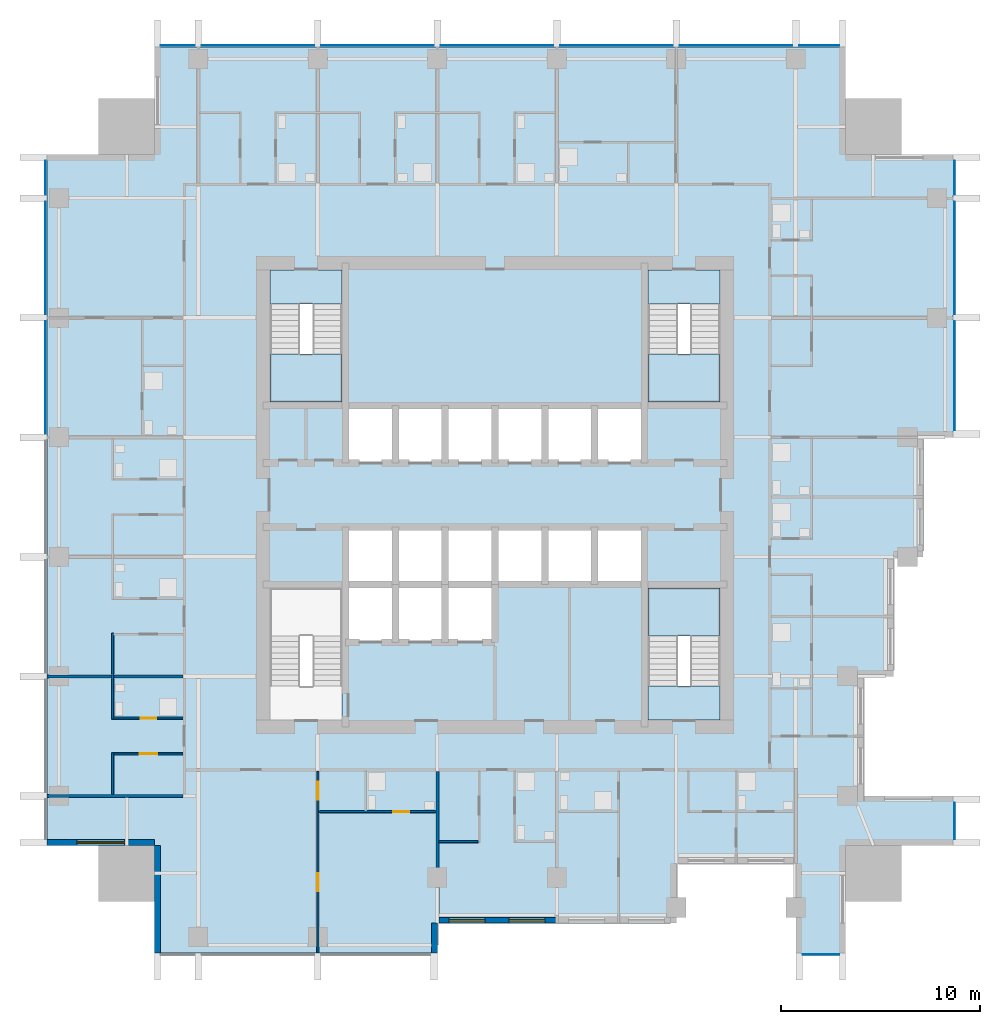
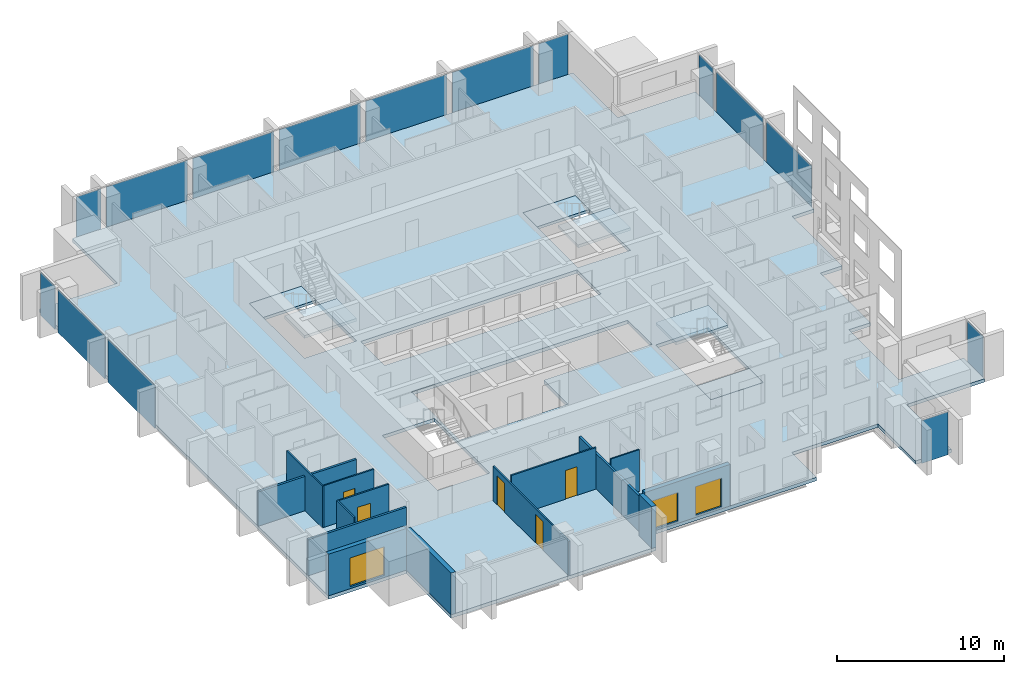
# One storey, part 3 of 11: 15 plates, 14 walls, 7 slabs, 5 doors, 3 windows, 8 openings, 8 elements without a shape of their own.
"""IFC4 building model written with IfcOpenShell, lengths in metres."""

from ifc_helpers import new_model, si_unit, direction, frame, frame_2d, origin, origin_2d, place, context, subcontext, project, spatial, polyline, rectangle, outline, extrude, material, layer, layer_set, type_object, element, fill, aggregate, save


model = new_model("IFC4")

# Units and contexts
model_context = context("Model", 3, precision=1e-05, world=origin(), true_north=direction((0.0, 1.0)))
body_context = subcontext(model_context, "Body", "Model", "MODEL_VIEW")
ifc_project = project(units=[si_unit("LENGTHUNIT", "METRE"), si_unit("AREAUNIT", "SQUARE_METRE"), si_unit("VOLUMEUNIT", "CUBIC_METRE"), si_unit("PLANEANGLEUNIT", "RADIAN"), si_unit("MASSUNIT", "GRAM", prefix="KILO")], contexts=[model_context])

# Site, building, storey
site_placement = place(None, origin())
site = spatial("IfcSite", under=ifc_project, at=site_placement, CompositionType="ELEMENT")
building_placement = place(site_placement, origin())
building = spatial("IfcBuilding", under=site, at=building_placement, Name="Amberfall Residences", CompositionType="ELEMENT")
storey_placement = place(building_placement, frame((0.0, 0.0, 154.89990234375)))
storey = spatial("IfcBuildingStorey", under=building, at=storey_placement, Name="L41", CompositionType="ELEMENT", Elevation=154.89990234375)

# Curtain wall, plate
ifc_material_1 = material(Name="Bronze anodised aluminium and glass", Category="aluminium")
curtain_wall_type = type_object("IfcCurtainWallType", Name="Curtain wall CW1 tower unit", PredefinedType="USERDEFINED", material=ifc_material_1)
curtain_wall_1_placement = place(storey_placement, origin())
curtain_wall_1 = element("IfcCurtainWall", 1, at=curtain_wall_1_placement, inside=storey, type_object=curtain_wall_type, Name="Curtain wall L41 S S8", ObjectType="UNITISED CURTAIN WALL", PredefinedType="USERDEFINED")
ifc_material_2 = material(Name="Tinted double glazed unit", Category="glass")
ifc_layer_1 = layer(ifc_material_2, 0.035888671875)
ifc_layer_set_1 = layer_set([ifc_layer_1], Name="CW1 panel 36 glazing")
plate_type = type_object("IfcPlateType", Name="CW1 panel 36 glazing", PredefinedType="CURTAIN_PANEL", material=ifc_layer_set_1)
plate_1_placement = place(storey_placement, frame((90.875, 22.425048828125, -0.249755859375), z_axis=(0.0, 0.0, 1.0), x_axis=(1.0, 0.0, 0.0)))
plate_1 = element("IfcPlate", 2, at=plate_1_placement, type_object=plate_type, Name="CW1 panel 1.1", PredefinedType="CURTAIN_PANEL", context=body_context, shape_type="SweptSolid", body=[
    extrude(rectangle(XDim=1.825927734375, YDim=0.035888671875, at=origin_2d()), origin(), (0.0, 0.0, 1.0), 3.14990234375),
])
aggregate(curtain_wall_1, [plate_1])

curtain_wall_2_placement = place(storey_placement, origin())
curtain_wall_2 = element("IfcCurtainWall", 3, at=curtain_wall_2_placement, inside=storey, type_object=curtain_wall_type, Name="Curtain wall L41 E E1", ObjectType="UNITISED CURTAIN WALL", PredefinedType="USERDEFINED")
plate_2_placement = place(storey_placement, frame((97.574951171875, 29.125, -0.249755859375), z_axis=(0.0, 0.0, 1.0), x_axis=(0.0, 1.0, 0.0)))
plate_2 = element("IfcPlate", 4, at=plate_2_placement, type_object=plate_type, Name="CW1 panel 1.1", PredefinedType="CURTAIN_PANEL", context=body_context, shape_type="SweptSolid", body=[
    extrude(rectangle(XDim=1.825927734375, YDim=0.035888671875, at=origin_2d()), origin(), (0.0, 0.0, 1.0), 3.14990234375),
])
aggregate(curtain_wall_2, [plate_2])

# Curtain wall, plates
curtain_wall_3_placement = place(storey_placement, origin())
curtain_wall_3 = element("IfcCurtainWall", 5, at=curtain_wall_3_placement, inside=storey, type_object=curtain_wall_type, Name="Curtain wall L41 E E9", ObjectType="UNITISED CURTAIN WALL", PredefinedType="USERDEFINED")
plate_3_placement = place(storey_placement, frame((97.574951171875, 51.487548828125, -0.249755859375), z_axis=(0.0, 0.0, 1.0), x_axis=(0.0, 1.0, 0.0)))
plate_3 = element("IfcPlate", 6, at=plate_3_placement, type_object=plate_type, Name="CW1 panel 1.1", PredefinedType="CURTAIN_PANEL", context=body_context, shape_type="SweptSolid", body=[
    extrude(rectangle(XDim=5.450927734375, YDim=0.035888671875, at=origin_2d()), origin(), (0.0, 0.0, 1.0), 3.14990234375),
])
plate_4_placement = place(storey_placement, frame((97.574951171875, 57.39990234375, -0.249755859375), z_axis=(0.0, 0.0, 1.0), x_axis=(0.0, 1.0, 0.0)))
plate_4 = element("IfcPlate", 7, at=plate_4_placement, type_object=plate_type, Name="CW1 panel 2.1", PredefinedType="CURTAIN_PANEL", context=body_context, shape_type="SweptSolid", body=[
    extrude(rectangle(XDim=5.6259765625, YDim=0.035888671875, at=origin_2d()), origin(), (0.0, 0.0, 1.0), 3.14990234375),
])
plate_5_placement = place(storey_placement, frame((97.574951171875, 61.4375, -0.249755859375), z_axis=(0.0, 0.0, 1.0), x_axis=(0.0, 1.0, 0.0)))
plate_5 = element("IfcPlate", 8, at=plate_5_placement, type_object=plate_type, Name="CW1 panel 3.1", PredefinedType="CURTAIN_PANEL", context=body_context, shape_type="SweptSolid", body=[
    extrude(rectangle(XDim=1.700927734375, YDim=0.035888671875, at=origin_2d()), origin(), (0.0, 0.0, 1.0), 3.14990234375),
])
aggregate(curtain_wall_3, [plate_3, plate_4, plate_5])

curtain_wall_4_placement = place(storey_placement, origin())
curtain_wall_4 = element("IfcCurtainWall", 9, at=curtain_wall_4_placement, inside=storey, type_object=curtain_wall_type, Name="Curtain wall L41 N N1", ObjectType="UNITISED CURTAIN WALL", PredefinedType="USERDEFINED")
plate_6_placement = place(storey_placement, frame((90.78759765625, 68.074951171875, -0.249755859375), z_axis=(0.0, 0.0, 1.0), x_axis=(-1.0, 0.0, 0.0)))
plate_6 = element("IfcPlate", 10, at=plate_6_placement, type_object=plate_type, Name="CW1 panel 1.1", PredefinedType="CURTAIN_PANEL", context=body_context, shape_type="SweptSolid", body=[
    extrude(rectangle(XDim=2.0009765625, YDim=0.035888671875, at=origin_2d()), origin(), (0.0, 0.0, 1.0), 3.14990234375),
])
plate_7_placement = place(storey_placement, frame((86.60009765625, 68.074951171875, -0.249755859375), z_axis=(0.0, 0.0, 1.0), x_axis=(-1.0, 0.0, 0.0)))
plate_7 = element("IfcPlate", 11, at=plate_7_placement, type_object=plate_type, Name="CW1 panel 2.1", PredefinedType="CURTAIN_PANEL", context=body_context, shape_type="SweptSolid", body=[
    extrude(rectangle(XDim=5.6259765625, YDim=0.035888671875, at=origin_2d()), origin(), (0.0, 0.0, 1.0), 3.14990234375),
])
plate_8_placement = place(storey_placement, frame((80.60009765625, 68.074951171875, -0.249755859375), z_axis=(0.0, 0.0, 1.0), x_axis=(-1.0, 0.0, 0.0)))
plate_8 = element("IfcPlate", 12, at=plate_8_placement, type_object=plate_type, Name="CW1 panel 3.1", PredefinedType="CURTAIN_PANEL", context=body_context, shape_type="SweptSolid", body=[
    extrude(rectangle(XDim=5.6259765625, YDim=0.035888671875, at=origin_2d()), origin(), (0.0, 0.0, 1.0), 3.14990234375),
])
plate_9_placement = place(storey_placement, frame((74.60009765625, 68.074951171875, -0.249755859375), z_axis=(0.0, 0.0, 1.0), x_axis=(-1.0, 0.0, 0.0)))
plate_9 = element("IfcPlate", 13, at=plate_9_placement, type_object=plate_type, Name="CW1 panel 4.1", PredefinedType="CURTAIN_PANEL", context=body_context, shape_type="SweptSolid", body=[
    extrude(rectangle(XDim=5.6259765625, YDim=0.035888671875, at=origin_2d()), origin(), (0.0, 0.0, 1.0), 3.14990234375),
])
plate_10_placement = place(storey_placement, frame((68.60009765625, 68.074951171875, -0.249755859375), z_axis=(0.0, 0.0, 1.0), x_axis=(-1.0, 0.0, 0.0)))
plate_10 = element("IfcPlate", 14, at=plate_10_placement, type_object=plate_type, Name="CW1 panel 5.1", PredefinedType="CURTAIN_PANEL", context=body_context, shape_type="SweptSolid", body=[
    extrude(rectangle(XDim=5.6259765625, YDim=0.035888671875, at=origin_2d()), origin(), (0.0, 0.0, 1.0), 3.14990234375),
])
plate_11_placement = place(storey_placement, frame((62.60009765625, 68.074951171875, -0.249755859375), z_axis=(0.0, 0.0, 1.0), x_axis=(-1.0, 0.0, 0.0)))
plate_11 = element("IfcPlate", 15, at=plate_11_placement, type_object=plate_type, Name="CW1 panel 6.1", PredefinedType="CURTAIN_PANEL", context=body_context, shape_type="SweptSolid", body=[
    extrude(rectangle(XDim=5.6259765625, YDim=0.035888671875, at=origin_2d()), origin(), (0.0, 0.0, 1.0), 3.14990234375),
])
plate_12_placement = place(storey_placement, frame((58.5625, 68.074951171875, -0.249755859375), z_axis=(0.0, 0.0, 1.0), x_axis=(-1.0, 0.0, 0.0)))
plate_12 = element("IfcPlate", 16, at=plate_12_placement, type_object=plate_type, Name="CW1 panel 7.1", PredefinedType="CURTAIN_PANEL", context=body_context, shape_type="SweptSolid", body=[
    extrude(rectangle(XDim=1.700927734375, YDim=0.035888671875, at=origin_2d()), origin(), (0.0, 0.0, 1.0), 3.14990234375),
])
aggregate(curtain_wall_4, [plate_6, plate_7, plate_8, plate_9, plate_10, plate_11, plate_12])

curtain_wall_5_placement = place(storey_placement, origin())
curtain_wall_5 = element("IfcCurtainWall", 17, at=curtain_wall_5_placement, inside=storey, type_object=curtain_wall_type, Name="Curtain wall L41 W W1", ObjectType="UNITISED CURTAIN WALL", PredefinedType="USERDEFINED")
plate_13_placement = place(storey_placement, frame((51.925048828125, 61.4375, -0.249755859375), z_axis=(0.0, 0.0, 1.0), x_axis=(0.0, -1.0, 0.0)))
plate_13 = element("IfcPlate", 18, at=plate_13_placement, type_object=plate_type, Name="CW1 panel 1.1", PredefinedType="CURTAIN_PANEL", context=body_context, shape_type="SweptSolid", body=[
    extrude(rectangle(XDim=1.700927734375, YDim=0.035888671875, at=origin_2d()), origin(), (0.0, 0.0, 1.0), 3.14990234375),
])
plate_14_placement = place(storey_placement, frame((51.925048828125, 57.39990234375, -0.249755859375), z_axis=(0.0, 0.0, 1.0), x_axis=(0.0, -1.0, 0.0)))
plate_14 = element("IfcPlate", 19, at=plate_14_placement, type_object=plate_type, Name="CW1 panel 2.1", PredefinedType="CURTAIN_PANEL", context=body_context, shape_type="SweptSolid", body=[
    extrude(rectangle(XDim=5.6259765625, YDim=0.035888671875, at=origin_2d()), origin(), (0.0, 0.0, 1.0), 3.14990234375),
])
plate_15_placement = place(storey_placement, frame((51.925048828125, 51.39990234375, -0.249755859375), z_axis=(0.0, 0.0, 1.0), x_axis=(0.0, -1.0, 0.0)))
plate_15 = element("IfcPlate", 20, at=plate_15_placement, type_object=plate_type, Name="CW1 panel 3.1", PredefinedType="CURTAIN_PANEL", context=body_context, shape_type="SweptSolid", body=[
    extrude(rectangle(XDim=5.6259765625, YDim=0.035888671875, at=origin_2d()), origin(), (0.0, 0.0, 1.0), 3.14990234375),
])
aggregate(curtain_wall_5, [plate_13, plate_14, plate_15])

# Slab
ifc_material_3 = material(Name="Concrete C60", Category="concrete")
ifc_layer_2 = layer(ifc_material_3, 0.25)
ifc_layer_set_2 = layer_set([ifc_layer_2], Name="Floor slab 250 C60")
slab_type_1 = type_object("IfcSlabType", Name="Floor slab 250 C60", PredefinedType="FLOOR", material=ifc_layer_set_2)
slab_1_placement = place(storey_placement, frame((0.0, 0.0, -0.25)))
element("IfcSlab", 21, at=slab_1_placement, inside=storey, type_object=slab_type_1, Name="Floor slab S10 L41", PredefinedType="FLOOR", context=body_context, shape_type="SweptSolid", body=[
    extrude(outline(polyline([(89.60009765625, 22.5), (89.60009765625, 27.0), (83.60009765625, 27.0), (83.60009765625, 24.0), (77.60009765625, 24.0), (71.60009765625, 24.0), (71.60009765625, 22.5), (57.39990234375, 22.5), (57.39990234375, 27.89990234375), (52.0, 27.89990234375), (52.0, 62.60009765625), (57.39990234375, 62.60009765625), (57.39990234375, 68.0), (92.10009765625, 68.0), (92.10009765625, 62.60009765625), (97.5, 62.60009765625), (97.5, 48.39990234375), (96.0, 48.39990234375), (96.0, 42.39990234375), (94.5, 42.39990234375), (94.5, 36.39990234375), (93.0, 36.39990234375), (93.0, 30.39990234375), (97.5, 30.39990234375), (97.5, 27.89990234375), (92.10009765625, 27.89990234375), (92.10009765625, 22.5), (89.60009765625, 22.5)]), holes=[polyline([(85.800048828125, 34.199951171875), (85.800048828125, 40.824951171875), (82.175048828125, 40.824951171875), (82.175048828125, 34.199951171875), (85.800048828125, 34.199951171875)]), polyline([(82.175048828125, 50.175048828125), (85.800048828125, 50.175048828125), (85.800048828125, 56.800048828125), (82.175048828125, 56.800048828125), (82.175048828125, 50.175048828125)]), polyline([(69.5, 50.0), (67.0, 50.0), (67.0, 47.10009765625), (69.5, 47.10009765625), (72.0, 47.10009765625), (74.5, 47.10009765625), (77.0, 47.10009765625), (79.5, 47.10009765625), (82.0, 47.10009765625), (82.0, 50.0), (79.5, 50.0), (77.0, 50.0), (74.5, 50.0), (72.0, 50.0), (69.5, 50.0)]), polyline([(74.5, 41.0), (77.0, 41.0), (79.5, 41.0), (82.0, 41.0), (82.0, 43.89990234375), (79.5, 43.89990234375), (77.0, 43.89990234375), (74.5, 43.89990234375), (72.0, 43.89990234375), (69.5, 43.89990234375), (67.0, 43.89990234375), (67.0, 41.0), (67.0, 38.10009765625), (69.5, 38.10009765625), (72.0, 38.10009765625), (74.5, 38.10009765625), (74.5, 41.0)]), polyline([(66.824951171875, 34.199951171875), (66.824951171875, 40.824951171875), (63.199951171875, 40.824951171875), (63.199951171875, 34.199951171875), (66.824951171875, 34.199951171875)]), polyline([(66.824951171875, 50.175048828125), (66.824951171875, 56.800048828125), (63.199951171875, 56.800048828125), (63.199951171875, 50.175048828125), (66.824951171875, 50.175048828125)])]), origin(), (0.0, 0.0, 1.0), 0.25),
])

# Stair, slabs
ifc_material_4 = material(Name="Concrete C40", Category="concrete")
stair_type = type_object("IfcStairType", Name="Exit stair 20 risers 165.0 mm", PredefinedType="HALF_TURN_STAIR", material=ifc_material_4)
stair_1_placement = place(storey_placement, origin())
stair_1 = element("IfcStair", 22, at=stair_1_placement, inside=storey, type_object=stair_type, Name="L41 Exit stair 2", PredefinedType="HALF_TURN_STAIR")
ifc_layer_3 = layer(ifc_material_4, 0.199951171875)
ifc_layer_set_3 = layer_set([ifc_layer_3], Name="Stair landing 200")
slab_type_2 = type_object("IfcSlabType", Name="Stair landing 200", PredefinedType="LANDING", material=ifc_layer_set_3)
slab_2_placement = place(storey_placement, frame((0.0, 0.0, 1.4501953125)))
slab_2 = element("IfcSlab", 23, at=slab_2_placement, type_object=slab_type_2, Name="ST3 landing 1", PredefinedType="LANDING", context=body_context, shape_type="SweptSolid", body=[
    extrude(outline(polyline([(85.800048828125, 38.419921875), (85.800048828125, 40.824951171875), (82.175048828125, 40.824951171875), (82.175048828125, 38.419921875), (85.800048828125, 38.419921875)])), origin(), (0.0, 0.0, 1.0), 0.199951171875),
])
slab_3_placement = place(storey_placement, frame((0.0, 0.0, -0.199951171875)))
slab_3 = element("IfcSlab", 24, at=slab_3_placement, type_object=slab_type_2, Name="ST3 landing 2", PredefinedType="LANDING", context=body_context, shape_type="SweptSolid", body=[
    extrude(outline(polyline([(85.800048828125, 34.199951171875), (85.800048828125, 35.89990234375), (82.175048828125, 35.89990234375), (82.175048828125, 34.199951171875), (85.800048828125, 34.199951171875)])), origin(), (0.0, 0.0, 1.0), 0.199951171875),
])
aggregate(stair_1, [slab_2, slab_3])

stair_2_placement = place(storey_placement, origin())
stair_2 = element("IfcStair", 25, at=stair_2_placement, inside=storey, type_object=stair_type, Name="L41 Exit stair 3", PredefinedType="HALF_TURN_STAIR")
slab_4_placement = place(storey_placement, frame((0.0, 0.0, 1.4501953125)))
slab_4 = element("IfcSlab", 26, at=slab_4_placement, type_object=slab_type_2, Name="ST3 landing 1", PredefinedType="LANDING", context=body_context, shape_type="SweptSolid", body=[
    extrude(outline(polyline([(82.175048828125, 52.580078125), (82.175048828125, 50.175048828125), (85.800048828125, 50.175048828125), (85.800048828125, 52.580078125), (82.175048828125, 52.580078125)])), origin(), (0.0, 0.0, 1.0), 0.199951171875),
])
slab_5_placement = place(storey_placement, frame((0.0, 0.0, -0.199951171875)))
slab_5 = element("IfcSlab", 27, at=slab_5_placement, type_object=slab_type_2, Name="ST3 landing 2", PredefinedType="LANDING", context=body_context, shape_type="SweptSolid", body=[
    extrude(outline(polyline([(82.175048828125, 56.800048828125), (82.175048828125, 55.10009765625), (85.800048828125, 55.10009765625), (85.800048828125, 56.800048828125), (82.175048828125, 56.800048828125)])), origin(), (0.0, 0.0, 1.0), 0.199951171875),
])
aggregate(stair_2, [slab_4, slab_5])

stair_3_placement = place(storey_placement, origin())
stair_3 = element("IfcStair", 28, at=stair_3_placement, inside=storey, type_object=stair_type, Name="L41 Exit stair 4", PredefinedType="HALF_TURN_STAIR")
slab_6_placement = place(storey_placement, frame((0.0, 0.0, 1.4501953125)))
slab_6 = element("IfcSlab", 29, at=slab_6_placement, type_object=slab_type_2, Name="ST3 landing 1", PredefinedType="LANDING", context=body_context, shape_type="SweptSolid", body=[
    extrude(outline(polyline([(63.199951171875, 52.580078125), (63.199951171875, 50.175048828125), (66.824951171875, 50.175048828125), (66.824951171875, 52.580078125), (63.199951171875, 52.580078125)])), origin(), (0.0, 0.0, 1.0), 0.199951171875),
])
slab_7_placement = place(storey_placement, frame((0.0, 0.0, -0.199951171875)))
slab_7 = element("IfcSlab", 30, at=slab_7_placement, type_object=slab_type_2, Name="ST3 landing 2", PredefinedType="LANDING", context=body_context, shape_type="SweptSolid", body=[
    extrude(outline(polyline([(63.199951171875, 56.800048828125), (63.199951171875, 55.10009765625), (66.824951171875, 55.10009765625), (66.824951171875, 56.800048828125), (63.199951171875, 56.800048828125)])), origin(), (0.0, 0.0, 1.0), 0.199951171875),
])
aggregate(stair_3, [slab_6, slab_7])

# Wall
ifc_material_5 = material(Name="Pale stone cladding on insulated backing", Category="masonry")
ifc_layer_4 = layer(ifc_material_5, 0.300048828125)
ifc_layer_set_4 = layer_set([ifc_layer_4], Name="Bronze clad wall 300")
wall_type_1 = type_object("IfcWallType", Name="Bronze clad wall 300", PredefinedType="SOLIDWALL", material=ifc_layer_set_4)
wall_1_placement = place(storey_placement, frame((71.449951171875, 22.5, 0.0), z_axis=(0.0, 0.0, 1.0), x_axis=(0.0, 1.0, 0.0)))
element("IfcWall", 31, at=wall_1_placement, inside=storey, type_object=wall_type_1, Name="External wall L41 S", PredefinedType="SOLIDWALL", context=body_context, shape_type="SweptSolid", body=[
    extrude(rectangle(XDim=1.5, YDim=0.300048828125, at=frame_2d((0.75, 0.0))), origin(), (0.0, 0.0, 1.0), 3.050048828125),
])

# Wall, opening, window
wall_2_placement = place(storey_placement, frame((52.0, 28.050048828125, 0.0), z_axis=(0.0, 0.0, 1.0), x_axis=(1.0, 0.0, 0.0)))
wall_2 = element("IfcWall", 32, at=wall_2_placement, inside=storey, type_object=wall_type_1, Name="External wall L41 SW", PredefinedType="SOLIDWALL", context=body_context, shape_type="SweptSolid", body=[
    extrude(rectangle(XDim=5.39990234375, YDim=0.300048828125, at=frame_2d((2.699951171875, 0.0))), origin(), (0.0, 0.0, 1.0), 3.050048828125),
])
opening_1_placement = place(wall_2_placement, frame((1.5, 0.0, 0.14990234375)))
opening_1 = element("IfcOpeningElement", 33, at=opening_1_placement, cuts=wall_2, Name="Opening WN5", PredefinedType="OPENING", context=body_context, shape_type="SweptSolid", body=[
    extrude(rectangle(XDim=2.39990234375, YDim=2.10009765625, at=frame_2d((1.199951171875, 1.050048828125))), frame((0.0, 0.159912109375, 0.0), z_axis=(0.0, -1.0, 0.0), x_axis=(1.0, 0.0, 0.0)), (0.0, 0.0, 1.0), 0.320068359375),
])
ifc_material_6 = material(Name="Bronze aluminium framed glazing", Category="aluminium")
window_type_1 = type_object("IfcWindowType", Name="Glazed opening 2400 x 2100 bronze", PartitioningType="DOUBLE_PANEL_VERTICAL", PredefinedType="WINDOW", material=ifc_material_6)
window_1_placement = place(opening_1_placement, origin())
window_1 = element("IfcWindow", 34, at=window_1_placement, inside=storey, type_object=window_type_1, Name="Window L41 SW", OverallHeight=2.10009765625, OverallWidth=2.39990234375, PartitioningType="DOUBLE_PANEL_VERTICAL", PredefinedType="WINDOW", context=body_context, shape_type="SweptSolid", body=[
    extrude(rectangle(XDim=2.39990234375, YDim=2.10009765625, at=frame_2d((1.199951171875, 1.050048828125))), frame((0.0, 0.030029296875, 0.0), z_axis=(0.0, -1.0, 0.0), x_axis=(1.0, 0.0, 0.0)), (0.0, 0.0, 1.0), 0.06005859375),
])
fill(opening_1, window_1)

# Wall
wall_3_placement = place(storey_placement, frame((57.550048828125, 27.89990234375, 0.0), z_axis=(0.0, 0.0, 1.0), x_axis=(0.0, -1.0, 0.0)))
element("IfcWall", 35, at=wall_3_placement, inside=storey, type_object=wall_type_1, Name="External wall L41 SW", PredefinedType="SOLIDWALL", context=body_context, shape_type="SweptSolid", body=[
    extrude(rectangle(XDim=5.39990234375, YDim=0.300048828125, at=frame_2d((2.699951171875, 0.0))), origin(), (0.0, 0.0, 1.0), 3.050048828125),
])

# Wall, openings, windows
wall_4_placement = place(storey_placement, frame((71.68994140625, 24.14990234375, 0.0), z_axis=(0.0, 0.0, 1.0), x_axis=(1.0, 0.0, 0.0)))
wall_4 = element("IfcWall", 36, at=wall_4_placement, inside=storey, type_object=wall_type_1, Name="Stone wall L41 S", PredefinedType="SOLIDWALL", context=body_context, shape_type="SweptSolid", body=[
    extrude(rectangle(XDim=5.91015625, YDim=0.300048828125, at=frame_2d((2.955078125, 0.0))), origin(), (0.0, 0.0, 1.0), 3.050048828125),
])
opening_2_placement = place(wall_4_placement, frame((0.510009765625, 0.0, 0.14990234375)))
opening_2 = element("IfcOpeningElement", 37, at=opening_2_placement, cuts=wall_4, Name="Opening WN6", PredefinedType="OPENING", context=body_context, shape_type="SweptSolid", body=[
    extrude(rectangle(XDim=1.800048828125, YDim=2.10009765625, at=frame_2d((0.89990234375, 1.050048828125))), frame((0.0, 0.159912109375, 0.0), z_axis=(0.0, -1.0, 0.0), x_axis=(1.0, 0.0, 0.0)), (0.0, 0.0, 1.0), 0.320068359375),
])
opening_3_placement = place(wall_4_placement, frame((3.510009765625, 0.0, 0.14990234375)))
opening_3 = element("IfcOpeningElement", 38, at=opening_3_placement, cuts=wall_4, Name="Opening WN6", PredefinedType="OPENING", context=body_context, shape_type="SweptSolid", body=[
    extrude(rectangle(XDim=1.800048828125, YDim=2.10009765625, at=frame_2d((0.89990234375, 1.050048828125))), frame((0.0, 0.159912109375, 0.0), z_axis=(0.0, -1.0, 0.0), x_axis=(1.0, 0.0, 0.0)), (0.0, 0.0, 1.0), 0.320068359375),
])
window_type_2 = type_object("IfcWindowType", Name="Glazed opening 1800 x 2100 bronze", PartitioningType="DOUBLE_PANEL_VERTICAL", PredefinedType="WINDOW", material=ifc_material_6)
window_2_placement = place(opening_2_placement, origin())
window_2 = element("IfcWindow", 39, at=window_2_placement, inside=storey, type_object=window_type_2, Name="Window L41 S", OverallHeight=2.10009765625, OverallWidth=1.800048828125, PartitioningType="DOUBLE_PANEL_VERTICAL", PredefinedType="WINDOW", context=body_context, shape_type="SweptSolid", body=[
    extrude(rectangle(XDim=1.800048828125, YDim=2.10009765625, at=frame_2d((0.89990234375, 1.050048828125))), frame((0.0, 0.030029296875, 0.0), z_axis=(0.0, -1.0, 0.0), x_axis=(1.0, 0.0, 0.0)), (0.0, 0.0, 1.0), 0.06005859375),
])
fill(opening_2, window_2)
window_3_placement = place(opening_3_placement, origin())
window_3 = element("IfcWindow", 40, at=window_3_placement, inside=storey, type_object=window_type_2, Name="Window L41 S", OverallHeight=2.10009765625, OverallWidth=1.800048828125, PartitioningType="DOUBLE_PANEL_VERTICAL", PredefinedType="WINDOW", context=body_context, shape_type="SweptSolid", body=[
    extrude(rectangle(XDim=1.800048828125, YDim=2.10009765625, at=frame_2d((0.89990234375, 1.050048828125))), frame((0.0, 0.030029296875, 0.0), z_axis=(0.0, -1.0, 0.0), x_axis=(1.0, 0.0, 0.0)), (0.0, 0.0, 1.0), 0.06005859375),
])
fill(opening_3, window_3)

# Walls
ifc_material_7 = material(Name="Gypsum board on metal stud")
ifc_layer_5 = layer(ifc_material_7, 0.10009765625)
ifc_layer_set_5 = layer_set([ifc_layer_5], Name="Flat partition 100")
wall_type_2 = type_object("IfcWallType", Name="Flat partition 100", PredefinedType="PARTITIONING", material=ifc_layer_set_5)
wall_5_placement = place(storey_placement, frame((55.300048828125, 30.47509765625, 0.0), z_axis=(0.0, 0.0, 1.0), x_axis=(0.0, 1.0, 0.0)))
element("IfcWall", 41, at=wall_5_placement, inside=storey, type_object=wall_type_2, Name="Partition 001", PredefinedType="PARTITIONING", context=body_context, shape_type="SweptSolid", body=[
    extrude(rectangle(XDim=2.074951171875, YDim=0.10009765625, at=frame_2d((1.03759765625, 0.0))), origin(), (0.0, 0.0, 1.0), 3.050048828125),
])
wall_6_placement = place(storey_placement, frame((55.300048828125, 34.25, 0.0), z_axis=(0.0, 0.0, 1.0), x_axis=(0.0, 1.0, 0.0)))
element("IfcWall", 42, at=wall_6_placement, inside=storey, type_object=wall_type_2, Name="Partition 002", PredefinedType="PARTITIONING", context=body_context, shape_type="SweptSolid", body=[
    extrude(rectangle(XDim=4.300048828125, YDim=0.10009765625, at=frame_2d((2.14990234375, 0.0))), origin(), (0.0, 0.0, 1.0), 3.050048828125),
])

# Wall, openings, doors
wall_7_placement = place(storey_placement, frame((65.60009765625, 31.625, 0.0), z_axis=(0.0, 0.0, 1.0), x_axis=(0.0, -1.0, 0.0)))
wall_7 = element("IfcWall", 43, at=wall_7_placement, inside=storey, type_object=wall_type_2, Name="Partition 008", PredefinedType="PARTITIONING", context=body_context, shape_type="SweptSolid", body=[
    extrude(rectangle(XDim=9.125, YDim=0.10009765625, at=frame_2d((4.5625, 0.0))), origin(), (0.0, 0.0, 1.0), 2.51611328125),
])
opening_4_placement = place(wall_7_placement, frame((0.52490234375, 0.0, 0.0)))
opening_4 = element("IfcOpeningElement", 44, at=opening_4_placement, cuts=wall_7, Name="Opening D41", PredefinedType="OPENING", context=body_context, shape_type="SweptSolid", body=[
    extrude(rectangle(XDim=0.89990234375, YDim=2.10009765625, at=frame_2d((0.449951171875, 1.050048828125))), frame((0.0, 0.06005859375, 0.0), z_axis=(0.0, -1.0, 0.0), x_axis=(1.0, 0.0, 0.0)), (0.0, 0.0, 1.0), 0.1201171875),
])
opening_5_placement = place(wall_7_placement, frame((5.125, 0.0, 0.0)))
opening_5 = element("IfcOpeningElement", 45, at=opening_5_placement, cuts=wall_7, Name="Opening D41", PredefinedType="OPENING", context=body_context, shape_type="SweptSolid", body=[
    extrude(rectangle(XDim=0.89990234375, YDim=2.10009765625, at=frame_2d((0.449951171875, 1.050048828125))), frame((0.0, 0.06005859375, 0.0), z_axis=(0.0, -1.0, 0.0), x_axis=(1.0, 0.0, 0.0)), (0.0, 0.0, 1.0), 0.1201171875),
])
ifc_material_8 = material(Name="Timber", Category="wood")
door_type_1 = type_object("IfcDoorType", Name="Internal door 900 x 2100", OperationType="SINGLE_SWING_LEFT", PredefinedType="DOOR", material=ifc_material_8)
door_1_placement = place(opening_4_placement, origin())
door_1 = element("IfcDoor", 46, at=door_1_placement, inside=storey, type_object=door_type_1, Name="Door 4101 kitchen", OperationType="SINGLE_SWING_LEFT", OverallHeight=2.10009765625, OverallWidth=0.89990234375, PredefinedType="DOOR", context=body_context, shape_type="SweptSolid", body=[
    extrude(rectangle(XDim=0.89990234375, YDim=2.10009765625, at=frame_2d((0.449951171875, 1.050048828125))), frame((0.0, 0.02490234375, 0.0), z_axis=(0.0, -1.0, 0.0), x_axis=(1.0, 0.0, 0.0)), (0.0, 0.0, 1.0), 0.050048828125),
])
fill(opening_4, door_1)
door_2_placement = place(opening_5_placement, origin())
door_2 = element("IfcDoor", 47, at=door_2_placement, inside=storey, type_object=door_type_1, Name="Door 4101 bedroom1", OperationType="SINGLE_SWING_LEFT", OverallHeight=2.10009765625, OverallWidth=0.89990234375, PredefinedType="DOOR", context=body_context, shape_type="SweptSolid", body=[
    extrude(rectangle(XDim=0.89990234375, YDim=2.10009765625, at=frame_2d((0.449951171875, 1.050048828125))), frame((0.0, 0.02490234375, 0.0), z_axis=(0.0, -1.0, 0.0), x_axis=(1.0, 0.0, 0.0)), (0.0, 0.0, 1.0), 0.050048828125),
])
fill(opening_5, door_2)

# Wall, opening, door
wall_8_placement = place(storey_placement, frame((55.35009765625, 34.300048828125, 0.0), z_axis=(0.0, 0.0, 1.0), x_axis=(1.0, 0.0, 0.0)))
wall_8 = element("IfcWall", 48, at=wall_8_placement, inside=storey, type_object=wall_type_2, Name="Partition 043", PredefinedType="PARTITIONING", context=body_context, shape_type="SweptSolid", body=[
    extrude(rectangle(XDim=3.474853515625, YDim=0.10009765625, at=frame_2d((1.7373046875, 0.0))), origin(), (0.0, 0.0, 1.0), 3.050048828125),
])
opening_6_placement = place(wall_8_placement, frame((1.35009765625, 0.0, 0.0)))
opening_6 = element("IfcOpeningElement", 49, at=opening_6_placement, cuts=wall_8, Name="Opening D42", PredefinedType="OPENING", context=body_context, shape_type="SweptSolid", body=[
    extrude(rectangle(XDim=0.800048828125, YDim=2.10009765625, at=frame_2d((0.39990234375, 1.050048828125))), frame((0.0, 0.06005859375, 0.0), z_axis=(0.0, -1.0, 0.0), x_axis=(1.0, 0.0, 0.0)), (0.0, 0.0, 1.0), 0.1201171875),
])
door_type_2 = type_object("IfcDoorType", Name="Bathroom door 800 x 2100", OperationType="SINGLE_SWING_LEFT", PredefinedType="DOOR", material=ifc_material_8)
door_3_placement = place(opening_6_placement, origin())
door_3 = element("IfcDoor", 50, at=door_3_placement, inside=storey, type_object=door_type_2, Name="Door 4112 bath1", OperationType="SINGLE_SWING_LEFT", OverallHeight=2.10009765625, OverallWidth=0.800048828125, PredefinedType="DOOR", context=body_context, shape_type="SweptSolid", body=[
    extrude(rectangle(XDim=0.800048828125, YDim=2.10009765625, at=frame_2d((0.39990234375, 1.050048828125))), frame((0.0, 0.02490234375, 0.0), z_axis=(0.0, -1.0, 0.0), x_axis=(1.0, 0.0, 0.0)), (0.0, 0.0, 1.0), 0.050048828125),
])
fill(opening_6, door_3)

wall_9_placement = place(storey_placement, frame((58.824951171875, 32.5, 0.0), z_axis=(0.0, 0.0, 1.0), x_axis=(-1.0, 0.0, 0.0)))
wall_9 = element("IfcWall", 51, at=wall_9_placement, inside=storey, type_object=wall_type_2, Name="Partition 045", PredefinedType="PARTITIONING", context=body_context, shape_type="SweptSolid", body=[
    extrude(rectangle(XDim=3.474853515625, YDim=0.10009765625, at=frame_2d((1.7373046875, 0.0))), origin(), (0.0, 0.0, 1.0), 3.050048828125),
])
opening_7_placement = place(wall_9_placement, frame((1.27490234375, 0.0, 0.0)))
opening_7 = element("IfcOpeningElement", 52, at=opening_7_placement, cuts=wall_9, Name="Opening D41", PredefinedType="OPENING", context=body_context, shape_type="SweptSolid", body=[
    extrude(rectangle(XDim=0.89990234375, YDim=2.10009765625, at=frame_2d((0.449951171875, 1.050048828125))), frame((0.0, 0.06005859375, 0.0), z_axis=(0.0, -1.0, 0.0), x_axis=(1.0, 0.0, 0.0)), (0.0, 0.0, 1.0), 0.1201171875),
])
door_4_placement = place(opening_7_placement, origin())
door_4 = element("IfcDoor", 53, at=door_4_placement, inside=storey, type_object=door_type_1, Name="Door 4112 kitchen", OperationType="SINGLE_SWING_LEFT", OverallHeight=2.10009765625, OverallWidth=0.89990234375, PredefinedType="DOOR", context=body_context, shape_type="SweptSolid", body=[
    extrude(rectangle(XDim=0.89990234375, YDim=2.10009765625, at=frame_2d((0.449951171875, 1.050048828125))), frame((0.0, 0.02490234375, 0.0), z_axis=(0.0, -1.0, 0.0), x_axis=(1.0, 0.0, 0.0)), (0.0, 0.0, 1.0), 0.050048828125),
])
fill(opening_7, door_4)

wall_10_placement = place(storey_placement, frame((65.64990234375, 29.60009765625, 0.0), z_axis=(0.0, 0.0, 1.0), x_axis=(1.0, 0.0, 0.0)))
wall_10 = element("IfcWall", 54, at=wall_10_placement, inside=storey, type_object=wall_type_2, Name="Partition 046", PredefinedType="PARTITIONING", context=body_context, shape_type="SweptSolid", body=[
    extrude(rectangle(XDim=5.875, YDim=0.10009765625, at=frame_2d((2.9375, 0.0))), origin(), (0.0, 0.0, 1.0), 3.050048828125),
])
opening_8_placement = place(wall_10_placement, frame((3.75, 0.0, 0.0)))
opening_8 = element("IfcOpeningElement", 55, at=opening_8_placement, cuts=wall_10, Name="Opening D42", PredefinedType="OPENING", context=body_context, shape_type="SweptSolid", body=[
    extrude(rectangle(XDim=0.800048828125, YDim=2.10009765625, at=frame_2d((0.39990234375, 1.050048828125))), frame((0.0, 0.06005859375, 0.0), z_axis=(0.0, -1.0, 0.0), x_axis=(1.0, 0.0, 0.0)), (0.0, 0.0, 1.0), 0.1201171875),
])
door_5_placement = place(opening_8_placement, origin())
door_5 = element("IfcDoor", 56, at=door_5_placement, inside=storey, type_object=door_type_2, Name="Door 4101 bath1", OperationType="SINGLE_SWING_LEFT", OverallHeight=2.10009765625, OverallWidth=0.800048828125, PredefinedType="DOOR", context=body_context, shape_type="SweptSolid", body=[
    extrude(rectangle(XDim=0.800048828125, YDim=2.10009765625, at=frame_2d((0.39990234375, 1.050048828125))), frame((0.0, 0.02490234375, 0.0), z_axis=(0.0, -1.0, 0.0), x_axis=(1.0, 0.0, 0.0)), (0.0, 0.0, 1.0), 0.050048828125),
])
fill(opening_8, door_5)

# Walls
wall_11_placement = place(storey_placement, frame((71.675048828125, 28.10009765625, 0.0), z_axis=(0.0, 0.0, 1.0), x_axis=(1.0, 0.0, 0.0)))
element("IfcWall", 57, at=wall_11_placement, inside=storey, type_object=wall_type_2, Name="Partition 049", PredefinedType="PARTITIONING", context=body_context, shape_type="SweptSolid", body=[
    extrude(rectangle(XDim=1.974853515625, YDim=0.10009765625, at=frame_2d((0.9873046875, 0.0))), origin(), (0.0, 0.0, 1.0), 3.050048828125),
])
ifc_material_9 = material(Name="Blockwork, plastered", Category="masonry")
ifc_layer_6 = layer(ifc_material_9, 0.14990234375)
ifc_layer_set_6 = layer_set([ifc_layer_6], Name="Flat separating wall 150")
wall_type_3 = type_object("IfcWallType", Name="Flat separating wall 150", PredefinedType="PARTITIONING", material=ifc_layer_set_6)
wall_12_placement = place(storey_placement, frame((71.60009765625, 24.0, 0.0), z_axis=(0.0, 0.0, 1.0), x_axis=(0.0, 1.0, 0.0)))
element("IfcWall", 58, at=wall_12_placement, inside=storey, type_object=wall_type_3, Name="Separating wall 054", PredefinedType="PARTITIONING", context=body_context, shape_type="SweptSolid", body=[
    extrude(rectangle(XDim=7.625, YDim=0.14990234375, at=frame_2d((3.8125, 0.0))), origin(), (0.0, 0.0, 1.0), 2.590087890625),
])
wall_13_placement = place(storey_placement, frame((52.0, 36.39990234375, 0.0), z_axis=(0.0, 0.0, 1.0), x_axis=(1.0, 0.0, 0.0)))
element("IfcWall", 59, at=wall_13_placement, inside=storey, type_object=wall_type_3, Name="Separating wall 067", PredefinedType="PARTITIONING", context=body_context, shape_type="SweptSolid", body=[
    extrude(rectangle(XDim=6.824951171875, YDim=0.14990234375, at=frame_2d((3.41259765625, 0.0))), origin(), (0.0, 0.0, 1.0), 2.51611328125),
])
wall_14_placement = place(storey_placement, frame((52.0, 30.39990234375, 0.0), z_axis=(0.0, 0.0, 1.0), x_axis=(1.0, 0.0, 0.0)))
element("IfcWall", 60, at=wall_14_placement, inside=storey, type_object=wall_type_3, Name="Separating wall 069", PredefinedType="PARTITIONING", context=body_context, shape_type="SweptSolid", body=[
    extrude(rectangle(XDim=6.824951171875, YDim=0.14990234375, at=frame_2d((3.41259765625, 0.0))), origin(), (0.0, 0.0, 1.0), 2.647216796875),
])

save(model, "model.ifc")
